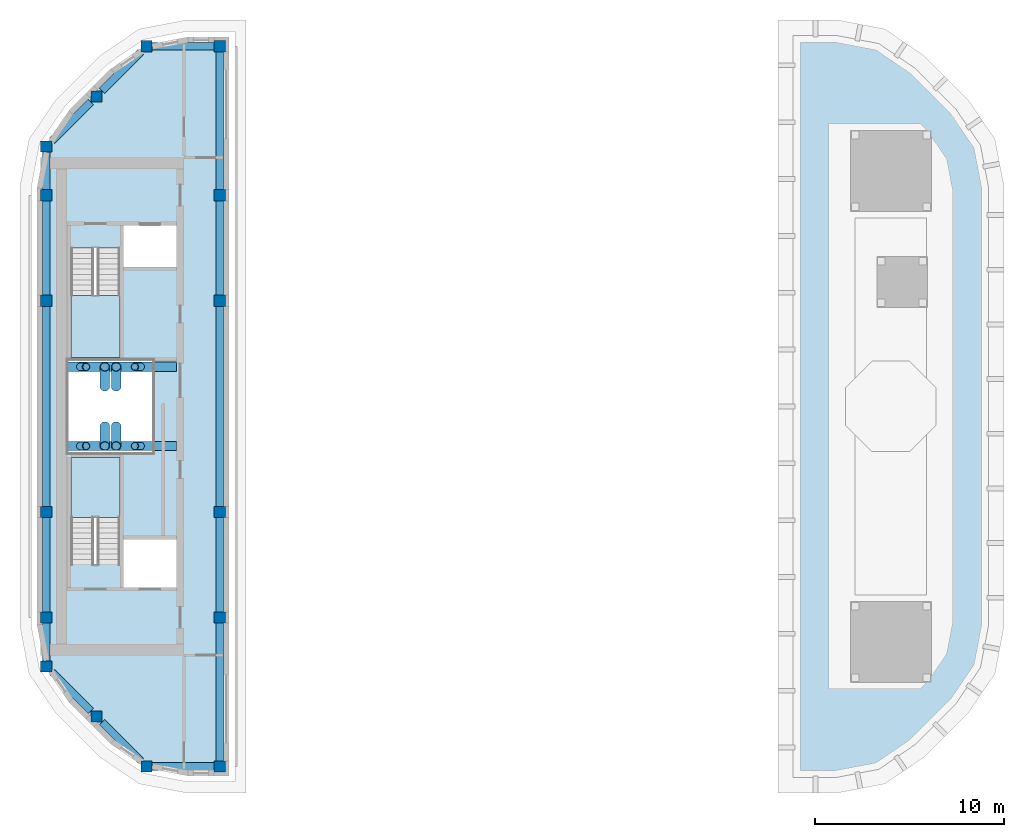
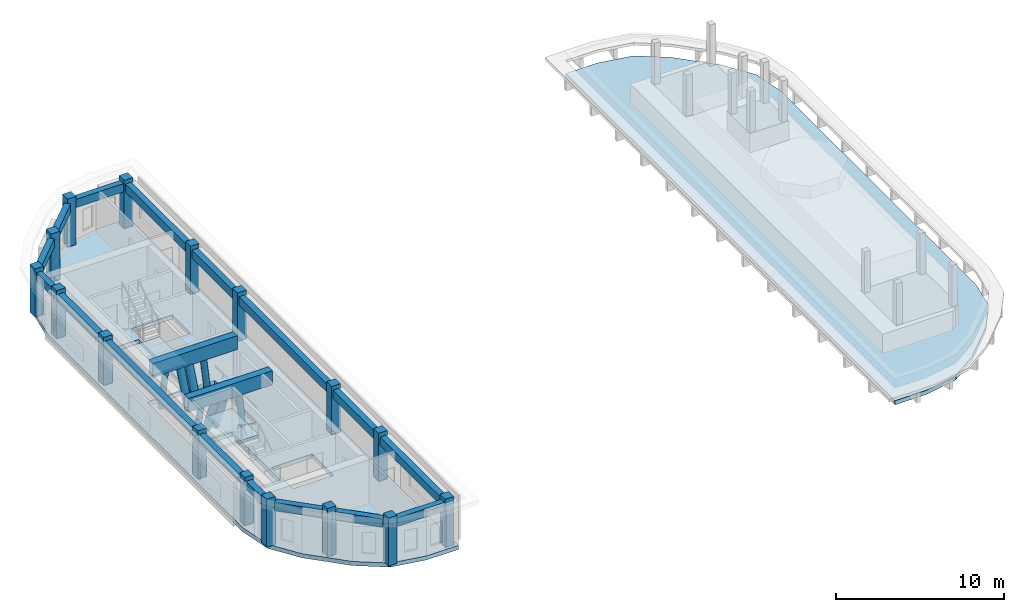
# One storey, part 1 of 8: 18 beams, 16 columns, 8 members, 4 slabs, 2 elements without a shape of their own.
"""IFC4 building model written with IfcOpenShell, lengths in metres."""

import ifcopenshell
import ifcopenshell.guid

model = None  # the IFC model being written
_history = None  # IfcOwnerHistory: only IFC2X3 demands one
_inside = {}  # id of a spatial element -> (the spatial element, [elements in it])
_under = {}  # id of a project, library or spatial element -> (it, [spatial elements below it])
_declared = {}  # id of a project -> (the project, [libraries it declares])
_typed = {}  # id of a type object -> (the type object, [elements of that type])
_made_of = {}  # id of a material, layer set ... -> (it, [elements and type objects made of it])


def new_model(schema):
    """Start an empty IFC model of exactly this schema.

    Asked for "IFC4X3", IfcOpenShell would pick the latest addendum, in which some entities
    have other attributes; the version numbers below select the first issue.
    IFC2X3 requires an IfcOwnerHistory on every rooted entity: one is made here for all.
    """
    global model, _history
    if schema == "IFC4X3":
        model = ifcopenshell.file(schema_version=(4, 3, 0, 0))
    else:
        model = ifcopenshell.file(schema=schema)
    _inside.clear()
    _under.clear()
    _declared.clear()
    _typed.clear()
    _made_of.clear()
    _history = None
    if model.schema == "IFC2X3":
        org = make("IfcOrganization", Name="unknown")
        user = make(
            "IfcPersonAndOrganization",
            ThePerson=make("IfcPerson", FamilyName="unknown"),
            TheOrganization=org,
        )
        app = make(
            "IfcApplication",
            ApplicationDeveloper=org,
            Version="unknown",
            ApplicationFullName="unknown",
            ApplicationIdentifier="unknown",
        )
        _history = make(
            "IfcOwnerHistory",
            OwningUser=user,
            OwningApplication=app,
            ChangeAction="ADDED",
            CreationDate=0,
        )
    return model


def make(cls, **values):
    """One entity of the class cls with the attributes given. An attribute that is None is left unset."""
    return model.create_entity(
        cls, **{name: value for name, value in values.items() if value is not None}
    )


def rooted(cls, **values):
    """An entity with a GlobalId (a new one), such as an element, a storey or a relation."""
    return make(cls, GlobalId=ifcopenshell.guid.new(), OwnerHistory=_history, **values)


def si_unit(unit_type, name, prefix=None):
    """IfcSIUnit, for example si_unit("LENGTHUNIT", "METRE", prefix="MILLI")."""
    return make("IfcSIUnit", UnitType=unit_type, Prefix=prefix, Name=name)


def assignment(units):
    """IfcUnitAssignment: the units of a project."""
    return None if units is None else make("IfcUnitAssignment", Units=units)


def point(xyz):
    """IfcCartesianPoint."""
    return None if xyz is None else make("IfcCartesianPoint", Coordinates=xyz)


def direction(xyz):
    """IfcDirection."""
    return None if xyz is None else make("IfcDirection", DirectionRatios=xyz)


def frame(location, z_axis=None, x_axis=None):
    """IfcAxis2Placement3D, a coordinate frame: its origin and axes. An axis left out is left unset."""
    return make(
        "IfcAxis2Placement3D",
        Location=point(location),
        Axis=direction(z_axis),
        RefDirection=direction(x_axis),
    )


def frame_2d(location, x_axis=None):
    """IfcAxis2Placement2D, a coordinate frame in the plane: its origin and x axis."""
    return make(
        "IfcAxis2Placement2D", Location=point(location), RefDirection=direction(x_axis)
    )


def origin():
    """The frame at (0, 0, 0) with its axes left unset."""
    return frame((0.0, 0.0, 0.0))


def origin_2d():
    """The frame at (0, 0) in the plane with its x axis left unset."""
    return frame_2d((0.0, 0.0))


def place(relative_to, where):
    """IfcLocalPlacement: puts the frame where relative to a parent placement (None: the world)."""
    return make(
        "IfcLocalPlacement", PlacementRelTo=relative_to, RelativePlacement=where
    )


def context(
    kind, dimensions, precision=None, world=None, true_north=None, identifier=None
):
    """IfcGeometricRepresentationContext, for example the 3D "Model" context."""
    return make(
        "IfcGeometricRepresentationContext",
        ContextIdentifier=identifier,
        ContextType=kind,
        CoordinateSpaceDimension=dimensions,
        Precision=precision,
        WorldCoordinateSystem=world,
        TrueNorth=true_north,
    )


def subcontext(parent, identifier, kind, view, scale=None):
    """IfcGeometricRepresentationSubContext, for example "Body" below "Model"."""
    return make(
        "IfcGeometricRepresentationSubContext",
        ContextIdentifier=identifier,
        ContextType=kind,
        ParentContext=parent,
        TargetScale=scale,
        TargetView=view,
    )


def project(units=None, contexts=None):
    """IfcProject with its units and contexts."""
    return rooted(
        "IfcProject",
        Name="project",
        RepresentationContexts=contexts,
        UnitsInContext=assignment(units),
    )


def spatial(cls, under=None, at=None, **own):
    """A site, building, storey or space (cls), placed at a placement, below another one or the project."""
    s = rooted(cls, ObjectPlacement=at, **own)
    if under is not None:
        _under.setdefault(under.id(), (under, []))[1].append(s)
    return s


def polyline(points):
    """IfcPolyline through the points."""
    return make("IfcPolyline", Points=[point(p) for p in points])


def profile(cls, at=None, kind="AREA", **sizes):
    """A parametric profile (cls). Its sizes go by their IFC names, for example OverallWidth=200.0."""
    return make(cls, ProfileType=kind, Position=at, **sizes)


def rectangle(**sizes):
    """IfcRectangleProfileDef."""
    return profile("IfcRectangleProfileDef", **sizes)


def hollow_rectangle(**sizes):
    """IfcRectangleHollowProfileDef."""
    return profile("IfcRectangleHollowProfileDef", **sizes)


def hollow_circle(**sizes):
    """IfcCircleHollowProfileDef."""
    return profile("IfcCircleHollowProfileDef", **sizes)


def outline(outer, holes=None, kind="AREA"):
    """IfcArbitraryClosedProfileDef: a profile drawn as a closed curve; with holes, ...WithVoids."""
    if holes is None:
        return make("IfcArbitraryClosedProfileDef", ProfileType=kind, OuterCurve=outer)
    return make(
        "IfcArbitraryProfileDefWithVoids",
        ProfileType=kind,
        OuterCurve=outer,
        InnerCurves=holes,
    )


def extrude(swept, where, along, depth):
    """IfcExtrudedAreaSolid: the profile swept, set in the frame where, extruded along a direction by depth."""
    return make(
        "IfcExtrudedAreaSolid",
        SweptArea=swept,
        Position=where,
        ExtrudedDirection=direction(along),
        Depth=depth,
    )


def shape(context_of_items, identifier, shape_type, items):
    """IfcShapeRepresentation: the items that make up one representation, for example the "Body"."""
    return make(
        "IfcShapeRepresentation",
        ContextOfItems=context_of_items,
        RepresentationIdentifier=identifier,
        RepresentationType=shape_type,
        Items=items,
    )


def material(Name=None, Category=None):
    """IfcMaterial."""
    return make("IfcMaterial", Name=Name, Category=Category)


def layer(
    of_material, thickness, ventilated=None, Name=None, Category=None, Priority=None
):
    """IfcMaterialLayer: one layer of a wall or slab, of a material (None: an air gap)."""
    return make(
        "IfcMaterialLayer",
        Material=of_material,
        LayerThickness=thickness,
        IsVentilated=ventilated,
        Name=Name,
        Category=Category,
        Priority=Priority,
    )


def layer_set(layers, Name=None):
    """IfcMaterialLayerSet."""
    return make("IfcMaterialLayerSet", MaterialLayers=layers, LayerSetName=Name)


def material_profile(
    of_material, cross_section, Name=None, Category=None, Priority=None
):
    """IfcMaterialProfile: a cross section and its material."""
    return make(
        "IfcMaterialProfile",
        Name=Name,
        Material=of_material,
        Profile=cross_section,
        Priority=Priority,
        Category=Category,
    )


def profile_set(profiles, Name=None, composite=None):
    """IfcMaterialProfileSet."""
    return make(
        "IfcMaterialProfileSet",
        Name=Name,
        MaterialProfiles=profiles,
        CompositeProfile=composite,
    )


def made_of(thing, what):
    """Note that an element or type object is made of a material, layer set ...; save() writes the relation."""
    if what is not None:
        _made_of.setdefault(what.id(), (what, []))[1].append(thing)
    return thing


def type_object(cls, material=None, **own):
    """A type object (cls), such as IfcWallType, which elements share."""
    return made_of(rooted(cls, **own), material)


def element(
    cls,
    number,
    at=None,
    inside=None,
    cuts=None,
    type_object=None,
    material=None,
    context=None,
    identifier="Body",
    shape_type=None,
    held_by="IfcProductDefinitionShape",
    body=None,
    shapes=None,
    **own,
):
    """One element of the class cls, such as IfcWall. Its Tag is "e" and its number.

    at: its placement. inside: the storey or other place that contains it. cuts: it is an
    opening in that element (IfcRelVoidsElement). A single representation is given by context,
    identifier, shape_type and body (its items); several are given by shapes. held_by: the class
    of the entity that holds the representations. save() writes the other relations.
    """
    e = rooted(cls, Tag="e%d" % number, ObjectPlacement=at, **own)
    if body is not None:
        shapes = [shape(context, identifier, shape_type, body)]
    if shapes is not None:
        e.Representation = make(held_by, Representations=shapes)
    if inside is not None:
        _inside.setdefault(inside.id(), (inside, []))[1].append(e)
    if cuts is not None:
        rooted(
            "IfcRelVoidsElement", RelatingBuildingElement=cuts, RelatedOpeningElement=e
        )
    if type_object is not None:
        _typed.setdefault(type_object.id(), (type_object, []))[1].append(e)
    return made_of(e, material)


def aggregate(whole, parts):
    """IfcRelAggregates: a whole, such as a stair, and the parts it consists of."""
    return rooted("IfcRelAggregates", RelatingObject=whole, RelatedObjects=parts)


def save(model, path):
    """Write the relations noted so far, then the file.

    IfcRelAggregates (storeys below a building ...), IfcRelContainedInSpatialStructure (elements
    in a storey), IfcRelDefinesByType, IfcRelAssociatesMaterial and IfcRelDeclares: one each for
    every whole, place, type object, material and project.
    """
    for whole, parts in _under.values():
        aggregate(whole, parts)
    for where, things in _inside.values():
        rooted(
            "IfcRelContainedInSpatialStructure",
            RelatedElements=things,
            RelatingStructure=where,
        )
    for kind, things in _typed.values():
        rooted("IfcRelDefinesByType", RelatedObjects=things, RelatingType=kind)
    for what, things in _made_of.values():
        rooted("IfcRelAssociatesMaterial", RelatedObjects=things, RelatingMaterial=what)
    for by, libraries in _declared.values():
        rooted("IfcRelDeclares", RelatingContext=by, RelatedDefinitions=libraries)
    model.write(path)


model = new_model("IFC4")

# Units and contexts
model_context = context("Model", 3, precision=1e-05, world=origin(), true_north=direction((0.0, 1.0)))
body_context = subcontext(model_context, "Body", "Model", "MODEL_VIEW")
ifc_project = project(units=[si_unit("LENGTHUNIT", "METRE"), si_unit("AREAUNIT", "SQUARE_METRE"), si_unit("VOLUMEUNIT", "CUBIC_METRE"), si_unit("PLANEANGLEUNIT", "RADIAN"), si_unit("MASSUNIT", "GRAM", prefix="KILO")], contexts=[model_context])

# Site, building, storey
site_placement = place(None, origin())
site = spatial("IfcSite", under=ifc_project, at=site_placement, CompositionType="ELEMENT")
building_placement = place(site_placement, origin())
building = spatial("IfcBuilding", under=site, at=building_placement, Name="Kiln Ring Residences", CompositionType="ELEMENT")
storey_placement = place(building_placement, frame((0.0, 0.0, 317.39990234375)))
storey = spatial("IfcBuildingStorey", under=building, at=storey_placement, Name="L82 Crown", CompositionType="ELEMENT", Elevation=317.39990234375)

# Columns
ifc_material_1 = material(Name="Concrete C60/75", Category="concrete")
ifc_material_profile_1 = material_profile(ifc_material_1, rectangle(XDim=0.60009765625, YDim=0.60009765625, at=origin_2d()), Name="RC600x600")
ifc_profile_set_1 = profile_set([ifc_material_profile_1], Name="Concrete C60/75")
column_type = type_object("IfcColumnType", Name="Crown column RC600x600 C60/75", PredefinedType="COLUMN", material=ifc_profile_set_1)
for number, where, z_axis, x_axis, name in (
    (1, (-24.699951171875, -13.79296875, 0.0), (0.0, 0.0, 1.0), (1.0, 0.0, 0.0), "Crown column L82 Crown 1"),
    (2, (-24.699951171875, -11.199951171875, 0.0), (0.0, 0.0, 1.0), (1.0, 0.0, 0.0), "Crown column L82 Crown 2"),
    (3, (-24.699951171875, -5.60009765625, 0.0), (0.0, 0.0, 1.0), (1.0, 0.0, 0.0), "Crown column L82 Crown 3"),
    (4, (-24.699951171875, 5.60009765625, 0.0), (0.0, 0.0, 1.0), (1.0, 0.0, 0.0), "Crown column L82 Crown 4"),
    (5, (-24.699951171875, 11.199951171875, 0.0), (0.0, 0.0, 1.0), (1.0, 0.0, 0.0), "Crown column L82 Crown 5"),
    (6, (-24.699951171875, 13.79296875, 0.0), (0.0, 0.0, 1.0), (1.0, 0.0, 0.0), "Crown column L82 Crown 6"),
    (7, (-22.04638671875, -16.4462890625, 0.0), (0.0, 0.0, 1.0), (1.0, 0.0, 0.0), "Crown column L82 Crown 7"),
    (8, (-22.04638671875, 16.4462890625, 0.0), (0.0, 0.0, 1.0), (1.0, 0.0, 0.0), "Crown column L82 Crown 8"),
    (9, (-19.392822265625, -19.10009765625, 0.0), (0.0, 0.0, 1.0), (1.0, 0.0, 0.0), "Crown column L82 Crown 9"),
    (10, (-19.392822265625, 19.10009765625, 0.0), (0.0, 0.0, 1.0), (1.0, 0.0, 0.0), "Crown column L82 Crown 10"),
    (11, (-15.5, -19.10009765625, 0.0), (0.0, 0.0, 1.0), (1.0, 0.0, 0.0), "Crown column L82 Crown 11"),
    (12, (-15.5, -11.199951171875, 0.0), (0.0, 0.0, 1.0), (1.0, 0.0, 0.0), "Crown column L82 Crown 12"),
    (13, (-15.5, -5.60009765625, 0.0), (0.0, 0.0, 1.0), (1.0, 0.0, 0.0), "Crown column L82 Crown 13"),
    (14, (-15.5, 5.60009765625, 0.0), (0.0, 0.0, 1.0), (1.0, 0.0, 0.0), "Crown column L82 Crown 14"),
    (15, (-15.5, 11.199951171875, 0.0), (0.0, 0.0, 1.0), (1.0, 0.0, 0.0), "Crown column L82 Crown 15"),
    (16, (-15.5, 19.10009765625, 0.0), (0.0, 0.0, 1.0), (1.0, 0.0, 0.0), "Crown column L82 Crown 16"),
):
    element("IfcColumn", number, at=place(storey_placement, frame(where, z_axis=z_axis, x_axis=x_axis)), inside=storey, type_object=column_type, Name=name, PredefinedType="COLUMN", context=body_context, shape_type="SweptSolid", body=[
        extrude(rectangle(XDim=0.60009765625, YDim=0.60009765625, at=origin_2d()), origin(), (0.0, 0.0, 1.0), 3.5),
    ])

# Beams
ifc_material_2 = material(Name="Steel S355", Category="steel")
ifc_material_profile_2 = material_profile(ifc_material_2, hollow_rectangle(XDim=0.5, YDim=1.0, WallThickness=0.050048828125, at=origin_2d()), Name="BOX1000x500x50")
ifc_profile_set_2 = profile_set([ifc_material_profile_2], Name="Steel S355")
beam_type_1 = type_object("IfcBeamType", Name="Damper frame girder BOX1000x500x50 S355", PredefinedType="BEAM", material=ifc_profile_set_2)
for number, where, z_axis, x_axis, name in (
    (17, (-23.60009765625, -2.10009765625, 2.7001953125), (1.0, 0.0, 0.0), (0.0, 1.0, 0.0), "Damper frame girder L82 Crown 1"),
    (18, (-23.60009765625, 2.10009765625, 2.7001953125), (1.0, 0.0, 0.0), (0.0, 1.0, 0.0), "Damper frame girder L82 Crown 2"),
):
    element("IfcBeam", number, at=place(storey_placement, frame(where, z_axis=z_axis, x_axis=x_axis)), inside=storey, type_object=beam_type_1, Name=name, PredefinedType="BEAM", context=body_context, shape_type="SweptSolid", body=[
        extrude(hollow_rectangle(XDim=0.5, YDim=1.0, WallThickness=0.050048828125, at=origin_2d()), origin(), (0.0, 0.0, 1.0), 5.800048828125),
    ])

# Members
ifc_material_3 = material(Name="Steel S355", Category="steel")
ifc_material_profile_3 = material_profile(ifc_material_3, hollow_circle(Radius=0.203125, WallThickness=0.01611328125, at=origin_2d()), Name="CHS406.4x16")
ifc_profile_set_3 = profile_set([ifc_material_profile_3], Name="Steel S355")
member_type_1 = type_object("IfcMemberType", Name="Damper hanger CHS406.4x16 S355", PredefinedType="USERDEFINED", material=ifc_profile_set_3)
for number, where, z_axis, x_axis, name in (
    (19, (-22.89990234375, -2.10009765625, -0.39990234375), (0.114546216532, 0.0, 0.993417920252), (0.0, 1.0, 0.0), "Damper hanger L82 Crown 1"),
    (20, (-22.89990234375, 2.10009765625, -0.39990234375), (0.114546216532, 0.0, 0.993417920252), (0.0, 1.0, 0.0), "Damper hanger L82 Crown 2"),
    (21, (-19.699951171875, -2.10009765625, -0.39990234375), (-0.11463826984, 0.0, 0.993407301709), (0.0, -1.0, 0.0), "Damper hanger L82 Crown 3"),
    (22, (-19.699951171875, 2.10009765625, -0.39990234375), (-0.11463826984, 0.0, 0.993407301709), (0.0, -1.0, 0.0), "Damper hanger L82 Crown 4"),
):
    element("IfcMember", number, at=place(storey_placement, frame(where, z_axis=z_axis, x_axis=x_axis)), inside=storey, type_object=member_type_1, Name=name, ObjectType="TMD HANGER", PredefinedType="USERDEFINED", context=body_context, shape_type="SweptSolid", body=[
        extrude(hollow_circle(Radius=0.203125, WallThickness=0.01611328125, at=origin_2d()), origin(), (0.0, 0.0, 1.0), 2.617431640625),
    ])

# Beams
ifc_material_4 = material(Name="Concrete C50/60", Category="concrete")
ifc_material_profile_4 = material_profile(ifc_material_4, rectangle(XDim=0.39990234375, YDim=0.60009765625, at=origin_2d()), Name="RC400x600")
ifc_profile_set_4 = profile_set([ifc_material_profile_4], Name="Concrete C50/60")
beam_type_2 = type_object("IfcBeamType", Name="Spandrel beam RC400x600 C50/60", PredefinedType="SPANDREL", material=ifc_profile_set_4)
beam_1_placement = place(storey_placement, frame((-24.699951171875, -5.89990234375, 2.900146484375), z_axis=(0.0, -1.0, 0.0), x_axis=(1.0, 0.0, 0.0)))
element("IfcBeam", 23, at=beam_1_placement, inside=storey, type_object=beam_type_2, Name="Spandrel beam L82 Crown 1", PredefinedType="SPANDREL", context=body_context, shape_type="SweptSolid", body=[
    extrude(rectangle(XDim=0.39990234375, YDim=0.60009765625, at=origin_2d()), origin(), (0.0, 0.0, 1.0), 5.0),
])
beam_2_placement = place(storey_placement, frame((-24.699951171875, -11.5, 2.900146484375), z_axis=(0.0, -1.0, 0.0), x_axis=(1.0, 0.0, 0.0)))
element("IfcBeam", 24, at=beam_2_placement, inside=storey, type_object=beam_type_2, Name="Spandrel beam L82 Crown 2", PredefinedType="SPANDREL", context=body_context, shape_type="SweptSolid", body=[
    extrude(rectangle(XDim=0.39990234375, YDim=0.60009765625, at=origin_2d()), origin(), (0.0, 0.0, 1.0), 1.992919921875),
])
for number, where, z_axis, x_axis, name in (
    (25, (-24.39990234375, -14.0927734375, 2.900146484375), (0.707064747792, -0.707148812083, 0.0), (0.707148812083, 0.707064747792, 0.0), "Spandrel beam L82 Crown 3"),
    (26, (-21.746337890625, -16.746337890625, 2.900146484375), (0.707064747792, -0.707148812083, 0.0), (0.707148812083, 0.707064747792, 0.0), "Spandrel beam L82 Crown 4"),
):
    element("IfcBeam", number, at=place(storey_placement, frame(where, z_axis=z_axis, x_axis=x_axis)), inside=storey, type_object=beam_type_2, Name=name, PredefinedType="SPANDREL", context=body_context, shape_type="SweptSolid", body=[
        extrude(rectangle(XDim=0.39990234375, YDim=0.60009765625, at=origin_2d()), origin(), (0.0, 0.0, 1.0), 2.904296875),
    ])
beam_3_placement = place(storey_placement, frame((-19.093017578125, -19.10009765625, 2.900146484375), z_axis=(1.0, 0.0, 0.0), x_axis=(0.0, 1.0, 0.0)))
element("IfcBeam", 27, at=beam_3_placement, inside=storey, type_object=beam_type_2, Name="Spandrel beam L82 Crown 5", PredefinedType="SPANDREL", context=body_context, shape_type="SweptSolid", body=[
    extrude(rectangle(XDim=0.39990234375, YDim=0.60009765625, at=origin_2d()), origin(), (0.0, 0.0, 1.0), 3.29296875),
])
beam_4_placement = place(storey_placement, frame((-15.5, -18.800048828125, 2.900146484375), z_axis=(0.0, 1.0, 0.0), x_axis=(-1.0, 0.0, 0.0)))
element("IfcBeam", 28, at=beam_4_placement, inside=storey, type_object=beam_type_2, Name="Spandrel beam L82 Crown 6", PredefinedType="SPANDREL", context=body_context, shape_type="SweptSolid", body=[
    extrude(rectangle(XDim=0.39990234375, YDim=0.60009765625, at=origin_2d()), origin(), (0.0, 0.0, 1.0), 7.300048828125),
])
beam_5_placement = place(storey_placement, frame((-15.5, -10.89990234375, 2.900146484375), z_axis=(0.0, 1.0, 0.0), x_axis=(-1.0, 0.0, 0.0)))
element("IfcBeam", 29, at=beam_5_placement, inside=storey, type_object=beam_type_2, Name="Spandrel beam L82 Crown 7", PredefinedType="SPANDREL", context=body_context, shape_type="SweptSolid", body=[
    extrude(rectangle(XDim=0.39990234375, YDim=0.60009765625, at=origin_2d()), origin(), (0.0, 0.0, 1.0), 5.0),
])
beam_6_placement = place(storey_placement, frame((-15.5, -5.300048828125, 2.900146484375), z_axis=(0.0, 1.0, 0.0), x_axis=(-1.0, 0.0, 0.0)))
element("IfcBeam", 30, at=beam_6_placement, inside=storey, type_object=beam_type_2, Name="Spandrel beam L82 Crown 8", PredefinedType="SPANDREL", context=body_context, shape_type="SweptSolid", body=[
    extrude(rectangle(XDim=0.39990234375, YDim=0.60009765625, at=origin_2d()), origin(), (0.0, 0.0, 1.0), 10.60009765625),
])
beam_7_placement = place(storey_placement, frame((-15.5, 5.89990234375, 2.900146484375), z_axis=(0.0, 1.0, 0.0), x_axis=(-1.0, 0.0, 0.0)))
element("IfcBeam", 31, at=beam_7_placement, inside=storey, type_object=beam_type_2, Name="Spandrel beam L82 Crown 9", PredefinedType="SPANDREL", context=body_context, shape_type="SweptSolid", body=[
    extrude(rectangle(XDim=0.39990234375, YDim=0.60009765625, at=origin_2d()), origin(), (0.0, 0.0, 1.0), 5.0),
])
beam_8_placement = place(storey_placement, frame((-15.5, 11.5, 2.900146484375), z_axis=(0.0, 1.0, 0.0), x_axis=(-1.0, 0.0, 0.0)))
element("IfcBeam", 32, at=beam_8_placement, inside=storey, type_object=beam_type_2, Name="Spandrel beam L82 Crown 10", PredefinedType="SPANDREL", context=body_context, shape_type="SweptSolid", body=[
    extrude(rectangle(XDim=0.39990234375, YDim=0.60009765625, at=origin_2d()), origin(), (0.0, 0.0, 1.0), 7.300048828125),
])
beam_9_placement = place(storey_placement, frame((-15.800048828125, 19.10009765625, 2.900146484375), z_axis=(-1.0, 0.0, 0.0), x_axis=(0.0, -1.0, 0.0)))
element("IfcBeam", 33, at=beam_9_placement, inside=storey, type_object=beam_type_2, Name="Spandrel beam L82 Crown 11", PredefinedType="SPANDREL", context=body_context, shape_type="SweptSolid", body=[
    extrude(rectangle(XDim=0.39990234375, YDim=0.60009765625, at=origin_2d()), origin(), (0.0, 0.0, 1.0), 3.29296875),
])
for number, where, z_axis, x_axis, name in (
    (34, (-19.69287109375, 18.800048828125, 2.900146484375), (-0.707064747792, -0.707148812083, 0.0), (0.707148812083, -0.707064747792, 0.0), "Spandrel beam L82 Crown 12"),
    (35, (-22.346435546875, 16.146484375, 2.900146484375), (-0.707064747792, -0.707148812083, 0.0), (0.707148812083, -0.707064747792, 0.0), "Spandrel beam L82 Crown 13"),
):
    element("IfcBeam", number, at=place(storey_placement, frame(where, z_axis=z_axis, x_axis=x_axis)), inside=storey, type_object=beam_type_2, Name=name, PredefinedType="SPANDREL", context=body_context, shape_type="SweptSolid", body=[
        extrude(rectangle(XDim=0.39990234375, YDim=0.60009765625, at=origin_2d()), origin(), (0.0, 0.0, 1.0), 2.904296875),
    ])
beam_10_placement = place(storey_placement, frame((-24.699951171875, 13.492919921875, 2.900146484375), z_axis=(0.0, -1.0, 0.0), x_axis=(1.0, 0.0, 0.0)))
element("IfcBeam", 36, at=beam_10_placement, inside=storey, type_object=beam_type_2, Name="Spandrel beam L82 Crown 14", PredefinedType="SPANDREL", context=body_context, shape_type="SweptSolid", body=[
    extrude(rectangle(XDim=0.39990234375, YDim=0.60009765625, at=origin_2d()), origin(), (0.0, 0.0, 1.0), 1.992919921875),
])
beam_11_placement = place(storey_placement, frame((-24.699951171875, 10.89990234375, 2.900146484375), z_axis=(0.0, -1.0, 0.0), x_axis=(1.0, 0.0, 0.0)))
element("IfcBeam", 37, at=beam_11_placement, inside=storey, type_object=beam_type_2, Name="Spandrel beam L82 Crown 15", PredefinedType="SPANDREL", context=body_context, shape_type="SweptSolid", body=[
    extrude(rectangle(XDim=0.39990234375, YDim=0.60009765625, at=origin_2d()), origin(), (0.0, 0.0, 1.0), 5.0),
])
beam_12_placement = place(storey_placement, frame((-24.699951171875, 5.300048828125, 2.900146484375), z_axis=(0.0, -1.0, 0.0), x_axis=(1.0, 0.0, 0.0)))
element("IfcBeam", 38, at=beam_12_placement, inside=storey, type_object=beam_type_2, Name="Spandrel beam L82 Crown 16", PredefinedType="SPANDREL", context=body_context, shape_type="SweptSolid", body=[
    extrude(rectangle(XDim=0.39990234375, YDim=0.60009765625, at=origin_2d()), origin(), (0.0, 0.0, 1.0), 10.60009765625),
])

# Members
ifc_material_5 = material(Name="Steel S355", Category="steel")
ifc_material_profile_5 = material_profile(ifc_material_5, hollow_circle(Radius=0.25390625, WallThickness=0.02490234375, at=origin_2d()), Name="CHS508x25")
ifc_profile_set_5 = profile_set([ifc_material_profile_5], Name="Steel S355")
member_type_2 = type_object("IfcMemberType", Name="Spring damper unit CHS508x25 S355", PredefinedType="USERDEFINED", material=ifc_profile_set_5)
for number, where, z_axis, x_axis, name in (
    (39, (-21.60009765625, -1.050048828125, -0.39990234375), (0.0, -0.374465928692, 0.927240674393), (1.0, 0.0, 0.0), "Spring damper unit L82 Crown 1"),
    (40, (-21.60009765625, 1.050048828125, -0.39990234375), (0.0, 0.374465928692, 0.927240674393), (-1.0, 0.0, 0.0), "Spring damper unit L82 Crown 2"),
    (41, (-21.0, -1.050048828125, -0.39990234375), (0.0, -0.374465928692, 0.927240674393), (1.0, 0.0, 0.0), "Spring damper unit L82 Crown 3"),
    (42, (-21.0, 1.050048828125, -0.39990234375), (0.0, 0.374465928692, 0.927240674393), (-1.0, 0.0, 0.0), "Spring damper unit L82 Crown 4"),
):
    element("IfcMember", number, at=place(storey_placement, frame(where, z_axis=z_axis, x_axis=x_axis)), inside=storey, type_object=member_type_2, Name=name, ObjectType="SPRING DAMPER", PredefinedType="USERDEFINED", context=body_context, shape_type="SweptSolid", body=[
        extrude(hollow_circle(Radius=0.25390625, WallThickness=0.02490234375, at=origin_2d()), origin(), (0.0, 0.0, 1.0), 2.80419921875),
    ])

# Stair, slab
ifc_material_6 = material(Name="Concrete C40/50", Category="concrete")
stair_type = type_object("IfcStairType", Name="CORE-STAIR", PredefinedType="HALF_TURN_STAIR", material=ifc_material_6)
placement_1 = place(storey_placement, origin())
stair_1 = element("IfcStair", 43, at=placement_1, inside=storey, type_object=stair_type, Name="L82 Crown stair W-STN", PredefinedType="HALF_TURN_STAIR")
ifc_material_7 = material(Name="Concrete C40/50", Category="concrete")
ifc_layer_1 = layer(ifc_material_7, 0.199951171875)
ifc_layer_set_1 = layer_set([ifc_layer_1], Name="CORE-STAIR-LANDING")
slab_type_1 = type_object("IfcSlabType", Name="CORE-STAIR-LANDING", PredefinedType="LANDING", material=ifc_layer_set_1)
placement_2 = place(storey_placement, frame((0.0, 0.0, 1.550048828125)))
slab_1 = element("IfcSlab", 44, at=placement_2, type_object=slab_type_1, Name="W-STN landing 1", PredefinedType="LANDING", context=body_context, shape_type="SweptSolid", body=[
    extrude(outline(polyline([(-23.39990234375, 5.8798828125), (-23.39990234375, 2.60009765625), (-20.800048828125, 2.60009765625), (-20.800048828125, 5.8798828125), (-23.39990234375, 5.8798828125)])), origin(), (0.0, 0.0, 1.0), 0.199951171875),
])
aggregate(stair_1, [slab_1])

stair_2 = element("IfcStair", 45, at=placement_1, inside=storey, type_object=stair_type, Name="L82 Crown stair W-STS", PredefinedType="HALF_TURN_STAIR")
slab_2 = element("IfcSlab", 46, at=placement_2, type_object=slab_type_1, Name="W-STS landing 1", PredefinedType="LANDING", context=body_context, shape_type="SweptSolid", body=[
    extrude(outline(polyline([(-20.800048828125, -5.8798828125), (-20.800048828125, -2.699951171875), (-23.39990234375, -2.699951171875), (-23.39990234375, -5.8798828125), (-20.800048828125, -5.8798828125)])), origin(), (0.0, 0.0, 1.0), 0.199951171875),
])
aggregate(stair_2, [slab_2])

# Slabs
ifc_material_8 = material(Name="Concrete C40/50", Category="concrete")
ifc_layer_2 = layer(ifc_material_8, 0.300048828125)
ifc_layer_set_2 = layer_set([ifc_layer_2], Name="Floor slab 300")
slab_type_2 = type_object("IfcSlabType", Name="Floor slab 300", PredefinedType="FLOOR", material=ifc_layer_set_2)
placement_3 = place(storey_placement, frame((0.0, 0.0, -0.2998046875)))
element("IfcSlab", 47, at=placement_3, inside=storey, type_object=slab_type_2, Name="Floor slab L82 Crown 1", PredefinedType="FLOOR", context=body_context, shape_type="SweptSolid", body=[
    extrude(outline(polyline([(-19.42431640625, -19.17578125), (-17.199951171875, -19.60009765625), (-15.0, -19.60009765625), (-15.0, 19.60009765625), (-17.199951171875, 19.60009765625), (-19.42431640625, 19.17578125), (-21.297119140625, 17.90283203125), (-23.5029296875, 15.697021484375), (-24.775634765625, 13.82421875), (-25.199951171875, 11.60009765625), (-25.199951171875, -11.60009765625), (-24.775634765625, -13.82421875), (-23.5029296875, -15.697021484375), (-21.297119140625, -17.90283203125), (-19.42431640625, -19.17578125)]), holes=[polyline([(-20.60009765625, -7.050048828125), (-17.800048828125, -7.050048828125), (-17.800048828125, -9.60009765625), (-20.60009765625, -9.60009765625), (-20.60009765625, -7.050048828125)]), polyline([(-17.800048828125, 9.60009765625), (-17.800048828125, 7.39990234375), (-20.60009765625, 7.39990234375), (-20.60009765625, 9.60009765625), (-17.800048828125, 9.60009765625)]), polyline([(-19.0, 2.5), (-19.0, -2.5), (-23.60009765625, -2.5), (-23.60009765625, 2.5), (-19.0, 2.5)]), polyline([(-20.800048828125, -2.699951171875), (-20.800048828125, -8.39794921875), (-23.39990234375, -8.39794921875), (-23.39990234375, -2.699951171875), (-20.800048828125, -2.699951171875)]), polyline([(-20.800048828125, 8.39794921875), (-20.800048828125, 2.60009765625), (-23.39990234375, 2.60009765625), (-23.39990234375, 8.39794921875), (-20.800048828125, 8.39794921875)])]), origin(), (0.0, 0.0, 1.0), 0.2998046875),
])
ifc_material_9 = material(Name="Concrete C40/50", Category="concrete")
ifc_layer_3 = layer(ifc_material_9, 0.300048828125)
ifc_layer_set_3 = layer_set([ifc_layer_3], Name="Roof slab 300")
slab_type_3 = type_object("IfcSlabType", Name="Roof slab 300", PredefinedType="ROOF", material=ifc_layer_set_3)
element("IfcSlab", 48, at=placement_3, inside=storey, type_object=slab_type_3, Name="Roof slab L82 Crown 1", PredefinedType="ROOF", context=body_context, shape_type="SweptSolid", body=[
    extrude(outline(polyline([(15.0, 19.60009765625), (15.0, -19.60009765625), (17.199951171875, -19.60009765625), (19.42431640625, -19.17578125), (21.297119140625, -17.90283203125), (23.5029296875, -15.697021484375), (24.775634765625, -13.82421875), (25.199951171875, -11.60009765625), (25.199951171875, 11.60009765625), (24.775634765625, 13.82421875), (23.5029296875, 15.697021484375), (21.297119140625, 17.90283203125), (19.42431640625, 19.17578125), (17.199951171875, 19.60009765625), (15.0, 19.60009765625)])), origin(), (0.0, 0.0, 1.0), 0.2998046875),
])

save(model, "model.ifc")
